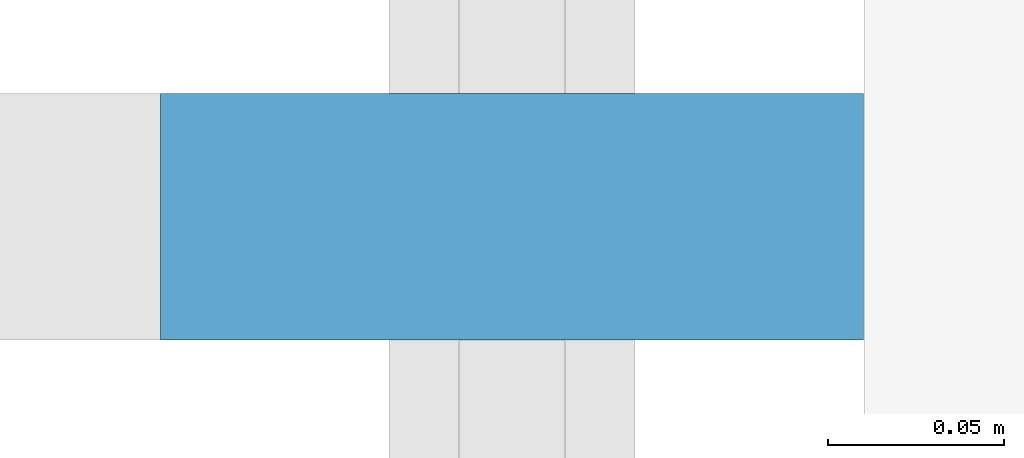
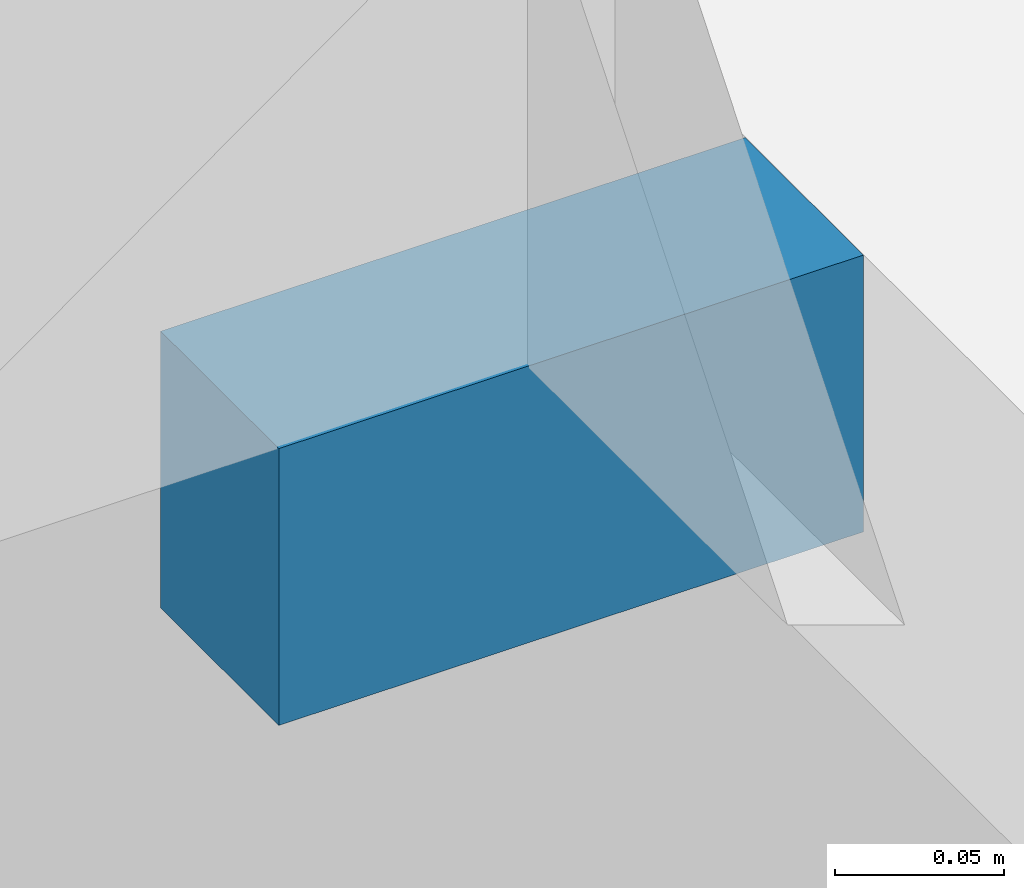
# One storey, part 12 of 16: 1 discrete accessory.
"""IFC4 building model written with IfcOpenShell, lengths in metres."""

from ifc_helpers import new_model, si_unit, direction, frame, origin, origin_2d, place, context, subcontext, project, spatial, rectangle, extrude, element, save


model = new_model("IFC4")

# Units and contexts
model_context = context("Model", 3, precision=1e-05, world=origin(), true_north=direction((0.0, 1.0)))
body_context = subcontext(model_context, "Body", "Model", "MODEL_VIEW")
ifc_project = project(units=[si_unit("LENGTHUNIT", "METRE"), si_unit("AREAUNIT", "SQUARE_METRE"), si_unit("VOLUMEUNIT", "CUBIC_METRE"), si_unit("PLANEANGLEUNIT", "RADIAN"), si_unit("MASSUNIT", "GRAM", prefix="KILO")], contexts=[model_context])

# Site, building, storey
site_placement = place(None, origin())
site = spatial("IfcSite", under=ifc_project, at=site_placement, CompositionType="ELEMENT")
building_placement = place(site_placement, origin())
building = spatial("IfcBuilding", under=site, at=building_placement, Name="Daluyong Arena Tower", CompositionType="ELEMENT")
storey_placement = place(building_placement, frame((0.0, 0.0, 231.699951171875)))
storey = spatial("IfcBuildingStorey", under=building, at=storey_placement, Name="L52", CompositionType="ELEMENT", Elevation=231.699951171875)

# Discrete accessory
discrete_accessory_placement = place(storey_placement, frame((34.25, 87.386474609375, -0.10009765625), z_axis=(0.0, 0.0, 1.0), x_axis=(0.0, -1.0, 0.0)))
element("IfcDiscreteAccessory", 1, at=discrete_accessory_placement, inside=storey, Name="curtain wall L52 W anchor bracket 4", PredefinedType="BRACKET", context=body_context, shape_type="SweptSolid", body=[
    extrude(rectangle(XDim=0.070068359375, YDim=0.199951171875, at=origin_2d()), origin(), (0.0, 0.0, 1.0), 0.10009765625),
])

save(model, "model.ifc")
